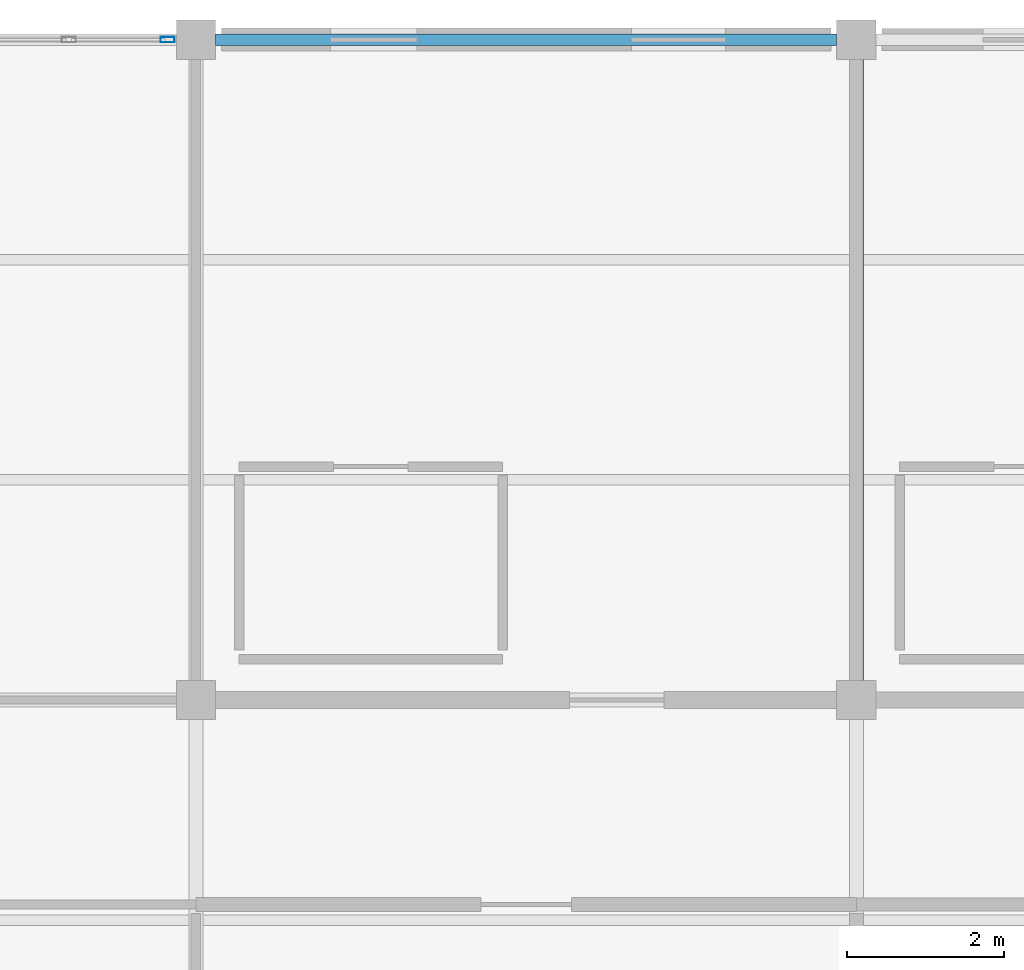
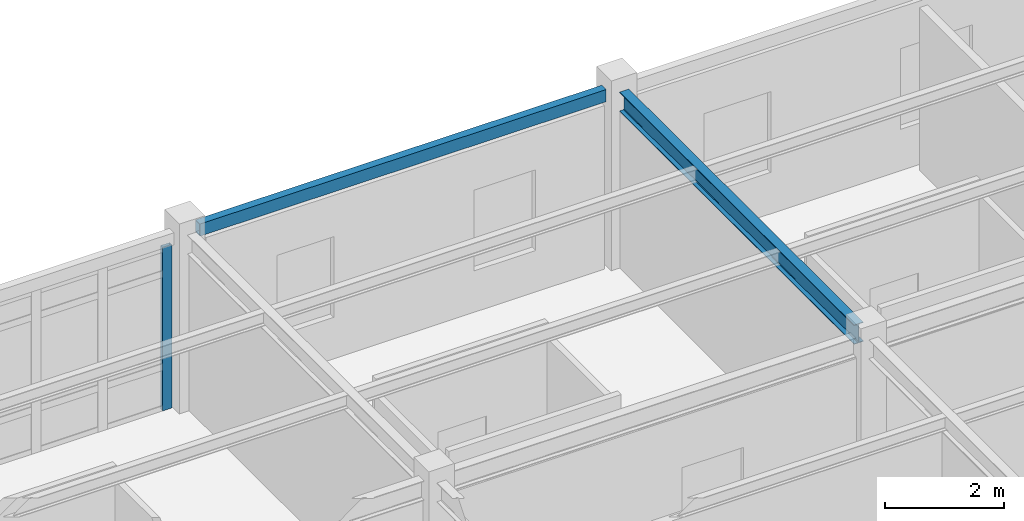
# One storey, part 18 of 53: 2 beams, 1 member, 1 element without a shape of its own.
"""IFC4 building model written with IfcOpenShell, lengths in metres."""

from ifc_helpers import new_model, si_unit, direction, frame, origin, origin_2d, place, context, subcontext, project, spatial, hollow_rectangle, i_section, extrude, material, layer, layer_set, material_profile, profile_set, type_object, element, aggregate, save


model = new_model("IFC4")

# Units and contexts
model_context = context("Model", 3, precision=1e-05, world=origin(), true_north=direction((0.0, 1.0)))
body_context = subcontext(model_context, "Body", "Model", "MODEL_VIEW")
ifc_project = project(units=[si_unit("LENGTHUNIT", "METRE"), si_unit("AREAUNIT", "SQUARE_METRE"), si_unit("VOLUMEUNIT", "CUBIC_METRE"), si_unit("PLANEANGLEUNIT", "RADIAN"), si_unit("MASSUNIT", "GRAM", prefix="KILO")], contexts=[model_context])

# Site, building, storey
site_placement = place(None, origin())
site = spatial("IfcSite", under=ifc_project, at=site_placement, CompositionType="ELEMENT")
building_placement = place(site_placement, origin())
building = spatial("IfcBuilding", under=site, at=building_placement, Name="Bramfleet General Hospital", CompositionType="ELEMENT")
storey_placement = place(building_placement, frame((0.0, 0.0, 26.39990234375)))
storey = spatial("IfcBuildingStorey", under=building, at=storey_placement, Name="L06", CompositionType="ELEMENT", Elevation=26.39990234375)

# Beams
ifc_material_1 = material(Name="Steel S355", Category="steel")
ifc_material_profile_1 = material_profile(ifc_material_1, i_section(OverallWidth=0.179931640625, OverallDepth=0.39990234375, WebThickness=0.008544921875, FlangeThickness=0.013427734375, FilletRadius=0.02099609375, at=origin_2d()), Name="IPE 400")
ifc_profile_set_1 = profile_set([ifc_material_profile_1], Name="Steel S355")
beam_type_1 = type_object("IfcBeamType", Name="BM-IPE400", PredefinedType="BEAM", material=ifc_profile_set_1)
beam_1_placement = place(storey_placement, frame((92.39990234375, 109.449951171875, 3.420166015625), z_axis=(0.0, 1.0, 0.0), x_axis=(-1.0, 0.0, 0.0)))
element("IfcBeam", 1, at=beam_1_placement, inside=storey, type_object=beam_type_1, Name="L06 Grid Beam Y 11-13", PredefinedType="BEAM", context=body_context, shape_type="SweptSolid", body=[
    extrude(i_section(OverallWidth=0.179931640625, OverallDepth=0.39990234375, WebThickness=0.008544921875, FlangeThickness=0.013427734375, FilletRadius=0.02099609375, at=origin_2d()), origin(), (0.0, 0.0, 1.0), 7.900146484375),
])
ifc_material_profile_2 = material_profile(ifc_material_1, hollow_rectangle(XDim=0.14990234375, YDim=0.25, WallThickness=0.010009765625, at=origin_2d()), Name="RHS 250x150x10.0")
ifc_profile_set_2 = profile_set([ifc_material_profile_2], Name="Steel S355")
beam_type_2 = type_object("IfcBeamType", Name="BM-RHS250", PredefinedType="SPANDREL", material=ifc_profile_set_2)
beam_2_placement = place(storey_placement, frame((84.25, 117.60009765625, 3.4951171875), z_axis=(1.0, 0.0, 0.0), x_axis=(0.0, 1.0, 0.0)))
element("IfcBeam", 2, at=beam_2_placement, inside=storey, type_object=beam_type_2, Name="L06 Grid Beam X 10-14", PredefinedType="SPANDREL", context=body_context, shape_type="SweptSolid", body=[
    extrude(hollow_rectangle(XDim=0.14990234375, YDim=0.25, WallThickness=0.010009765625, at=origin_2d()), origin(), (0.0, 0.0, 1.0), 7.89990234375),
])

# Curtain wall, member
ifc_material_2 = material(Name="Anodised aluminium and low-E triple glazing", Category="aluminium")
ifc_layer = layer(ifc_material_2, 0.179931640625, Name="CWT-CW-16")
ifc_layer_set = layer_set([ifc_layer], Name="Anodised aluminium and low-E triple glazing")
curtain_wall_type = type_object("IfcCurtainWallType", Name="CWT-CW-16", PredefinedType="USERDEFINED", material=ifc_layer_set)
curtain_wall_placement = place(storey_placement, origin())
curtain_wall = element("IfcCurtainWall", 3, at=curtain_wall_placement, inside=storey, type_object=curtain_wall_type, Name="L06 Curtain Wall 214", ObjectType="Stick curtain wall", PredefinedType="USERDEFINED")
ifc_material_3 = material(Name="Anodised aluminium EN AW-6060", Category="aluminium")
ifc_material_profile_3 = material_profile(ifc_material_3, hollow_rectangle(XDim=0.070068359375, YDim=0.179931640625, WallThickness=0.00390625, at=origin_2d()), Name="ALU 180x70x4.0")
ifc_profile_set_3 = profile_set([ifc_material_profile_3], Name="Anodised aluminium EN AW-6060")
member_type = type_object("IfcMemberType", Name="CWM-ALU180", PredefinedType="MULLION", material=ifc_profile_set_3)
member_placement = place(storey_placement, frame((83.639892578125, 117.60009765625, 0.0), z_axis=(0.0, 0.0, 1.0), x_axis=(0.0, 1.0, 0.0)))
member = element("IfcMember", 4, at=member_placement, type_object=member_type, Name="CW-16 mullion 7", PredefinedType="MULLION", context=body_context, shape_type="SweptSolid", body=[
    extrude(hollow_rectangle(XDim=0.070068359375, YDim=0.179931640625, WallThickness=0.00390625, at=origin_2d()), origin(), (0.0, 0.0, 1.0), 3.360107421875),
])
aggregate(curtain_wall, [member])

save(model, "model.ifc")
